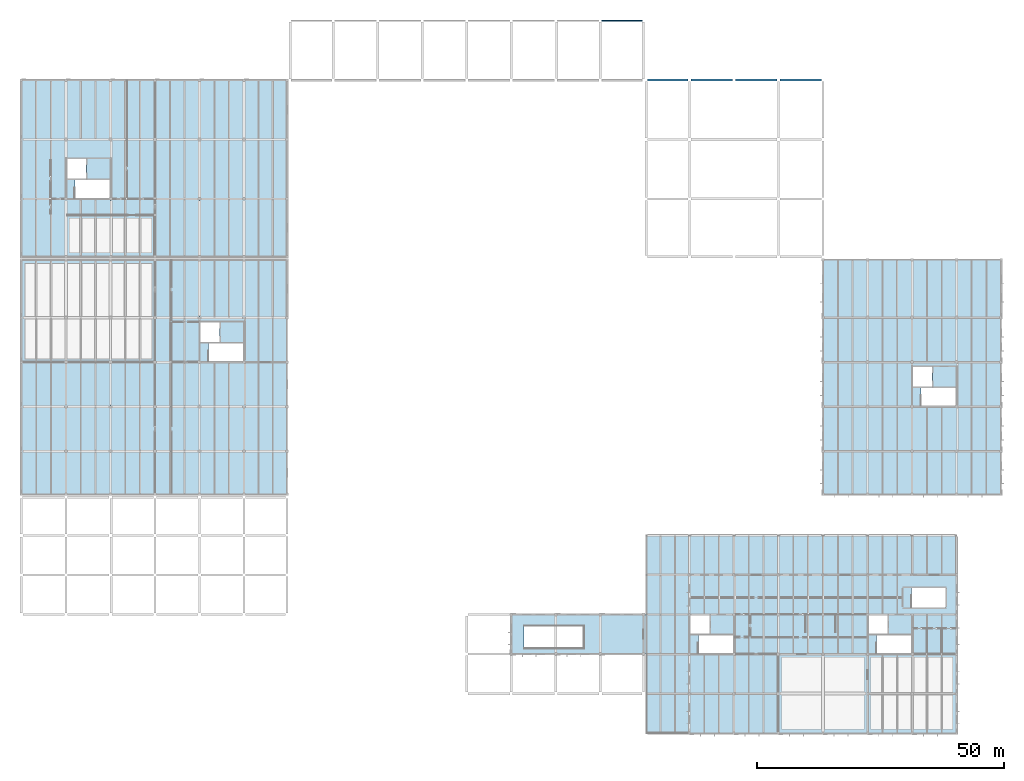
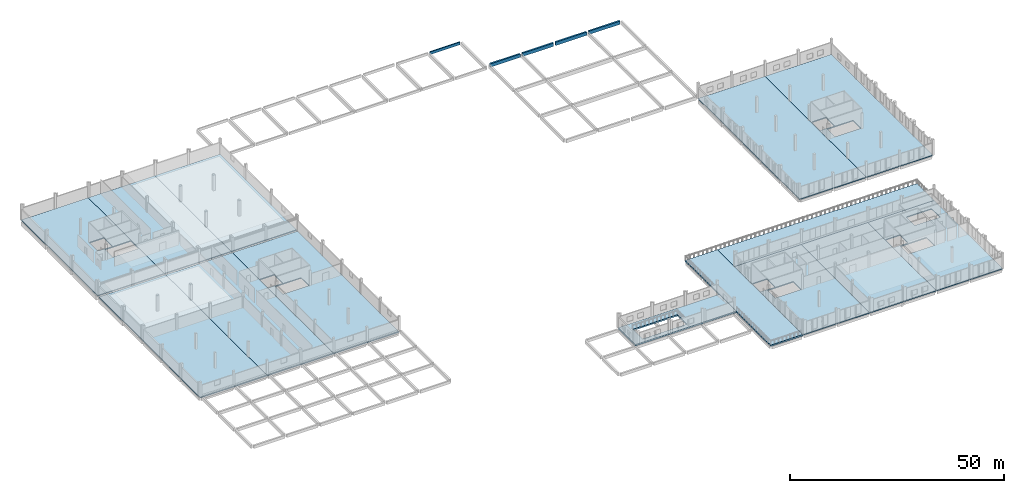
# One storey, part 7 of 25: 14 slabs, 5 beams.
"""IFC4 building model written with IfcOpenShell, lengths in metres."""

from ifc_helpers import new_model, si_unit, direction, frame, origin, origin_2d, place, context, subcontext, project, spatial, polyline, rectangle, outline, extrude, material, layer, layer_set, material_profile, profile_set, type_object, element, save


model = new_model("IFC4")

# Units and contexts
model_context = context("Model", 3, precision=1e-05, world=origin(), true_north=direction((0.0, 1.0)))
body_context = subcontext(model_context, "Body", "Model", "MODEL_VIEW")
ifc_project = project(units=[si_unit("LENGTHUNIT", "METRE"), si_unit("AREAUNIT", "SQUARE_METRE"), si_unit("VOLUMEUNIT", "CUBIC_METRE"), si_unit("PLANEANGLEUNIT", "RADIAN"), si_unit("MASSUNIT", "GRAM", prefix="KILO")], contexts=[model_context])

# Site, building, storey
site_placement = place(None, origin())
site = spatial("IfcSite", under=ifc_project, at=site_placement, CompositionType="ELEMENT")
building_placement = place(site_placement, origin())
building = spatial("IfcBuilding", under=site, at=building_placement, Name="Zacnel Wholesale Market", CompositionType="ELEMENT")
storey_placement = place(building_placement, frame((0.0, 0.0, 15.75)))
storey = spatial("IfcBuildingStorey", under=building, at=storey_placement, Name="L04", CompositionType="ELEMENT", Elevation=15.75)

# Beams
ifc_material_1 = material(Name="Precast concrete C45/55", Category="concrete")
ifc_material_profile_1 = material_profile(ifc_material_1, rectangle(XDim=0.449951171875, YDim=0.949951171875, at=origin_2d()), Name="PG 450x950")
ifc_profile_set_1 = profile_set([ifc_material_profile_1], Name="Precast concrete C45/55")
beam_type_1 = type_object("IfcBeamType", Name="BM-PG950", PredefinedType="BEAM", material=ifc_profile_set_1)
beam_1_placement = place(storey_placement, frame((144.580078125, 132.0, -0.125), z_axis=(1.0, 0.0, 0.0), x_axis=(0.0, 1.0, 0.0)))
element("IfcBeam", 1, at=beam_1_placement, inside=storey, type_object=beam_type_1, Name="Crossing drum collar girder X-11", PredefinedType="BEAM", context=body_context, shape_type="SweptSolid", body=[
    extrude(rectangle(XDim=0.449951171875, YDim=0.949951171875, at=origin_2d()), origin(), (0.0, 0.0, 1.0), 8.139892578125),
])
for number, where, z_axis, x_axis, name in (
    (2, (153.280029296875, 132.0, -0.125), (1.0, 0.0, 0.0), (0.0, 1.0, 0.0), "Crossing drum collar girder X-12"),
    (3, (162.280029296875, 132.0, -0.125), (1.0, 0.0, 0.0), (0.0, 1.0, 0.0), "Crossing drum collar girder X-13"),
    (4, (171.280029296875, 132.0, -0.125), (1.0, 0.0, 0.0), (0.0, 1.0, 0.0), "Crossing drum collar girder X-14"),
):
    element("IfcBeam", number, at=place(storey_placement, frame(where, z_axis=z_axis, x_axis=x_axis)), inside=storey, type_object=beam_type_1, Name=name, PredefinedType="BEAM", context=body_context, shape_type="SweptSolid", body=[
        extrude(rectangle(XDim=0.449951171875, YDim=0.949951171875, at=origin_2d()), origin(), (0.0, 0.0, 1.0), 8.43994140625),
    ])
ifc_material_2 = material(Name="Precast concrete C45/55", Category="concrete")
ifc_material_profile_2 = material_profile(ifc_material_2, rectangle(XDim=0.300048828125, YDim=0.75, at=origin_2d()), Name="SP 300x750")
ifc_profile_set_2 = profile_set([ifc_material_profile_2], Name="Precast concrete C45/55")
beam_type_2 = type_object("IfcBeamType", Name="BM-SP750", PredefinedType="SPANDREL", material=ifc_profile_set_2)
beam_2_placement = place(storey_placement, frame((135.300048828125, 144.0, -0.675048828125), z_axis=(1.0, 0.0, 0.0), x_axis=(0.0, 1.0, 0.0)))
element("IfcBeam", 5, at=beam_2_placement, inside=storey, type_object=beam_type_2, Name="Precast girder X-1174", PredefinedType="SPANDREL", context=body_context, shape_type="SweptSolid", body=[
    extrude(rectangle(XDim=0.300048828125, YDim=0.75, at=origin_2d()), origin(), (0.0, 0.0, 1.0), 8.125),
])

# Slabs
ifc_material_3 = material(Name="Precast concrete C45/55", Category="concrete")
ifc_layer_1 = layer(ifc_material_3, 0.280029296875)
ifc_layer_set_1 = layer_set([ifc_layer_1], Name="Precast concrete C45/55")
slab_type_1 = type_object("IfcSlabType", Name="SLB-FLR-280", PredefinedType="FLOOR", material=ifc_layer_set_1)
slab_1_placement = place(storey_placement, frame((0.0, 0.0, -0.280029296875)))
element("IfcSlab", 6, at=slab_1_placement, inside=storey, type_object=slab_type_1, Name="Structural slab SLB-L04-V3-CTRL-P1", PredefinedType="FLOOR", context=body_context, shape_type="SweptSolid", body=[
    extrude(outline(polyline([(36.0, 95.699951171875), (36.0, 48.300048828125), (18.0, 48.300048828125), (18.0, 95.699951171875), (36.0, 95.699951171875)])), origin(), (0.0, 0.0, 1.0), 0.280029296875),
])
slab_2_placement = place(storey_placement, frame((0.0, 0.0, -0.280029296875)))
element("IfcSlab", 7, at=slab_2_placement, inside=storey, type_object=slab_type_1, Name="Structural slab SLB-L04-V3-CTRL-P2", PredefinedType="FLOOR", context=body_context, shape_type="SweptSolid", body=[
    extrude(outline(polyline([(54.0, 95.699951171875), (54.0, 48.300048828125), (36.0, 48.300048828125), (36.0, 95.699951171875), (54.0, 95.699951171875)])), origin(), (0.0, 0.0, 1.0), 0.280029296875),
])
slab_3_placement = place(storey_placement, frame((0.0, 0.0, -0.280029296875)))
element("IfcSlab", 8, at=slab_3_placement, inside=storey, type_object=slab_type_1, Name="Structural slab SLB-L04-V3-CTRL-P3", PredefinedType="FLOOR", context=body_context, shape_type="SweptSolid", body=[
    extrude(outline(polyline([(71.699951171875, 48.300048828125), (54.0, 48.300048828125), (54.0, 95.699951171875), (71.699951171875, 95.699951171875), (71.699951171875, 48.300048828125)]), holes=[polyline([(55.85009765625, 75.1298828125), (62.8701171875, 75.1298828125), (62.8701171875, 78.820068359375), (55.85009765625, 78.820068359375), (55.85009765625, 75.1298828125)]), polyline([(54.139892578125, 79.080078125), (58.070068359375, 79.080078125), (58.070068359375, 83.070068359375), (54.139892578125, 83.070068359375), (54.139892578125, 79.080078125)])]), origin(), (0.0, 0.0, 1.0), 0.280029296875),
])
slab_4_placement = place(storey_placement, frame((0.0, 0.0, -0.280029296875)))
element("IfcSlab", 9, at=slab_4_placement, inside=storey, type_object=slab_type_1, Name="Structural slab SLB-L04-V3-N-P1", PredefinedType="FLOOR", context=body_context, shape_type="SweptSolid", body=[
    extrude(outline(polyline([(36.0, 132.0), (36.0, 96.300048828125), (18.0, 96.300048828125), (18.0, 132.0), (36.0, 132.0)]), holes=[polyline([(28.85009765625, 108.1298828125), (35.860107421875, 108.1298828125), (35.860107421875, 111.820068359375), (28.85009765625, 111.820068359375), (28.85009765625, 108.1298828125)]), polyline([(27.1298828125, 112.080078125), (31.070068359375, 112.080078125), (31.070068359375, 116.070068359375), (27.1298828125, 116.070068359375), (27.1298828125, 112.080078125)])]), origin(), (0.0, 0.0, 1.0), 0.280029296875),
])
slab_5_placement = place(storey_placement, frame((0.0, 0.0, -0.280029296875)))
element("IfcSlab", 10, at=slab_5_placement, inside=storey, type_object=slab_type_1, Name="Structural slab SLB-L04-V3-N-P2", PredefinedType="FLOOR", context=body_context, shape_type="SweptSolid", body=[
    extrude(outline(polyline([(54.0, 132.0), (54.0, 96.300048828125), (36.0, 96.300048828125), (36.0, 132.0), (54.0, 132.0)])), origin(), (0.0, 0.0, 1.0), 0.280029296875),
])
slab_6_placement = place(storey_placement, frame((0.0, 0.0, -0.280029296875)))
element("IfcSlab", 11, at=slab_6_placement, inside=storey, type_object=slab_type_1, Name="Structural slab SLB-L04-V3-N-P3", PredefinedType="FLOOR", context=body_context, shape_type="SweptSolid", body=[
    extrude(outline(polyline([(71.699951171875, 96.300048828125), (54.0, 96.300048828125), (54.0, 132.0), (71.699951171875, 132.0), (71.699951171875, 96.300048828125)])), origin(), (0.0, 0.0, 1.0), 0.280029296875),
])
slab_7_placement = place(storey_placement, frame((0.0, 0.0, -0.280029296875)))
element("IfcSlab", 12, at=slab_7_placement, inside=storey, type_object=slab_type_1, Name="Structural slab SLB-L04-V1E-INT-P1", PredefinedType="FLOOR", context=body_context, shape_type="SweptSolid", body=[
    extrude(outline(polyline([(198.0, 95.699951171875), (198.0, 48.300048828125), (180.0, 48.300048828125), (180.0, 95.699951171875), (198.0, 95.699951171875)])), origin(), (0.0, 0.0, 1.0), 0.280029296875),
])
slab_8_placement = place(storey_placement, frame((0.0, 0.0, -0.280029296875)))
element("IfcSlab", 13, at=slab_8_placement, inside=storey, type_object=slab_type_1, Name="Structural slab SLB-L04-V1E-INT-P2", PredefinedType="FLOOR", context=body_context, shape_type="SweptSolid", body=[
    extrude(outline(polyline([(216.0, 48.300048828125), (198.0, 48.300048828125), (198.0, 95.699951171875), (216.0, 95.699951171875), (216.0, 48.300048828125)]), holes=[polyline([(199.85009765625, 66.1298828125), (206.8701171875, 66.1298828125), (206.8701171875, 69.820068359375), (199.85009765625, 69.820068359375), (199.85009765625, 66.1298828125)]), polyline([(198.139892578125, 70.080078125), (202.070068359375, 70.080078125), (202.070068359375, 74.070068359375), (198.139892578125, 74.070068359375), (198.139892578125, 70.080078125)])]), origin(), (0.0, 0.0, 1.0), 0.280029296875),
])
slab_9_placement = place(storey_placement, frame((0.0, 0.0, -0.280029296875)))
element("IfcSlab", 14, at=slab_9_placement, inside=storey, type_object=slab_type_1, Name="Structural slab SLB-L04-V5-INT-P1", PredefinedType="FLOOR", context=body_context, shape_type="SweptSolid", body=[
    extrude(outline(polyline([(171.0, 32.0), (171.0, 0.0), (153.0, 0.0), (153.0, 32.0), (171.0, 32.0)]), holes=[polyline([(154.85009765625, 16.1298828125), (161.8701171875, 16.1298828125), (161.8701171875, 19.820068359375), (154.85009765625, 19.820068359375), (154.85009765625, 16.1298828125)]), polyline([(153.139892578125, 20.080078125), (157.070068359375, 20.080078125), (157.070068359375, 23.8701171875), (153.139892578125, 23.8701171875), (153.139892578125, 20.080078125)])]), origin(), (0.0, 0.0, 1.0), 0.280029296875),
])
slab_10_placement = place(storey_placement, frame((0.0, 0.0, -0.280029296875)))
element("IfcSlab", 15, at=slab_10_placement, inside=storey, type_object=slab_type_1, Name="Structural slab SLB-L04-V5-INT-P2", PredefinedType="FLOOR", context=body_context, shape_type="SweptSolid", body=[
    extrude(outline(polyline([(189.0, 32.0), (189.0, 0.0), (171.0, 0.0), (171.0, 32.0), (189.0, 32.0)])), origin(), (0.0, 0.0, 1.0), 0.280029296875),
])
slab_11_placement = place(storey_placement, frame((0.0, 0.0, -0.280029296875)))
element("IfcSlab", 16, at=slab_11_placement, inside=storey, type_object=slab_type_1, Name="Structural slab SLB-L04-V5-INT-P3", PredefinedType="FLOOR", context=body_context, shape_type="SweptSolid", body=[
    extrude(outline(polyline([(207.0, 0.0), (189.0, 0.0), (189.0, 32.0), (207.0, 32.0), (207.0, 0.0)]), holes=[polyline([(190.85009765625, 16.1298828125), (197.8701171875, 16.1298828125), (197.8701171875, 19.820068359375), (190.85009765625, 19.820068359375), (190.85009765625, 16.1298828125)]), polyline([(189.139892578125, 20.080078125), (193.070068359375, 20.080078125), (193.070068359375, 23.8701171875), (189.139892578125, 23.8701171875), (189.139892578125, 20.080078125)]), polyline([(197.919921875, 25.39990234375), (204.800048828125, 25.39990234375), (204.800048828125, 29.39990234375), (197.919921875, 29.39990234375), (197.919921875, 25.39990234375)])]), origin(), (0.0, 0.0, 1.0), 0.280029296875),
])
ifc_material_4 = material(Name="Precast concrete C45/55", Category="concrete")
ifc_layer_2 = layer(ifc_material_4, 0.419921875)
ifc_layer_set_2 = layer_set([ifc_layer_2], Name="Precast concrete C45/55")
slab_type_2 = type_object("IfcSlabType", Name="SLB-FLR-420", PredefinedType="FLOOR", material=ifc_layer_set_2)
slab_12_placement = place(storey_placement, frame((0.0, 0.0, -0.419921875)))
element("IfcSlab", 17, at=slab_12_placement, inside=storey, type_object=slab_type_2, Name="Structural slab SLB-L04-V4-EAST", PredefinedType="FLOOR", context=body_context, shape_type="SweptSolid", body=[
    extrude(outline(polyline([(144.280029296875, 16.0), (144.280029296875, 24.0), (117.0, 24.0), (117.0, 16.0), (144.280029296875, 16.0)]), holes=[polyline([(119.60009765625, 17.199951171875), (131.64990234375, 17.199951171875), (131.64990234375, 21.699951171875), (119.60009765625, 21.699951171875), (119.60009765625, 17.199951171875)])]), origin(), (0.0, 0.0, 1.0), 0.419921875),
])
slab_13_placement = place(storey_placement, frame((0.0, 0.0, -0.419921875)))
element("IfcSlab", 18, at=slab_13_placement, inside=storey, type_object=slab_type_2, Name="Structural slab SLB-L04-V5-LOOK-W", PredefinedType="FLOOR", context=body_context, shape_type="SweptSolid", body=[
    extrude(outline(polyline([(153.0, 0.0), (153.0, 40.0), (144.300048828125, 40.0), (144.300048828125, 0.0), (153.0, 0.0)])), origin(), (0.0, 0.0, 1.0), 0.419921875),
])
slab_14_placement = place(storey_placement, frame((0.0, 0.0, -0.419921875)))
element("IfcSlab", 19, at=slab_14_placement, inside=storey, type_object=slab_type_2, Name="Structural slab SLB-L04-V5-LOOK-N", PredefinedType="FLOOR", context=body_context, shape_type="SweptSolid", body=[
    extrude(outline(polyline([(207.0, 32.0), (207.0, 40.0), (153.0, 40.0), (153.0, 32.0), (207.0, 32.0)])), origin(), (0.0, 0.0, 1.0), 0.419921875),
])

save(model, "model.ifc")
